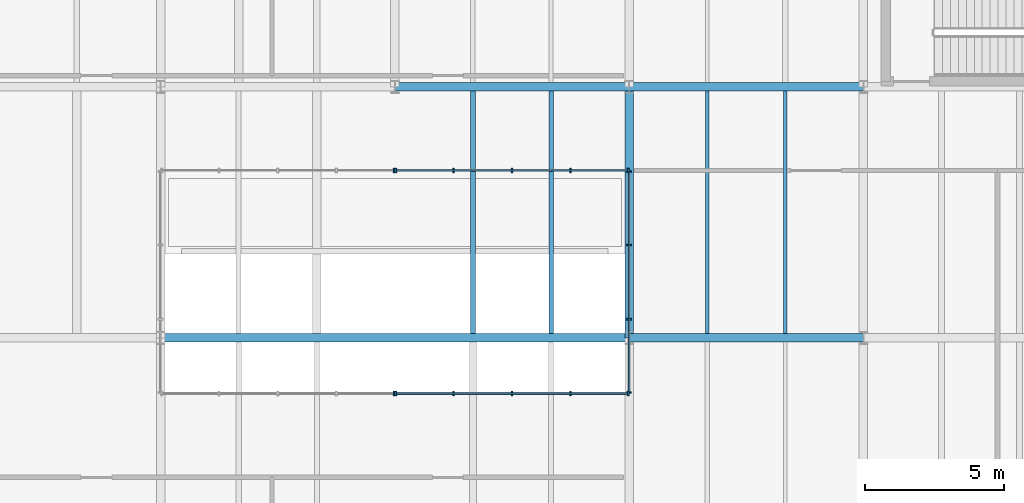
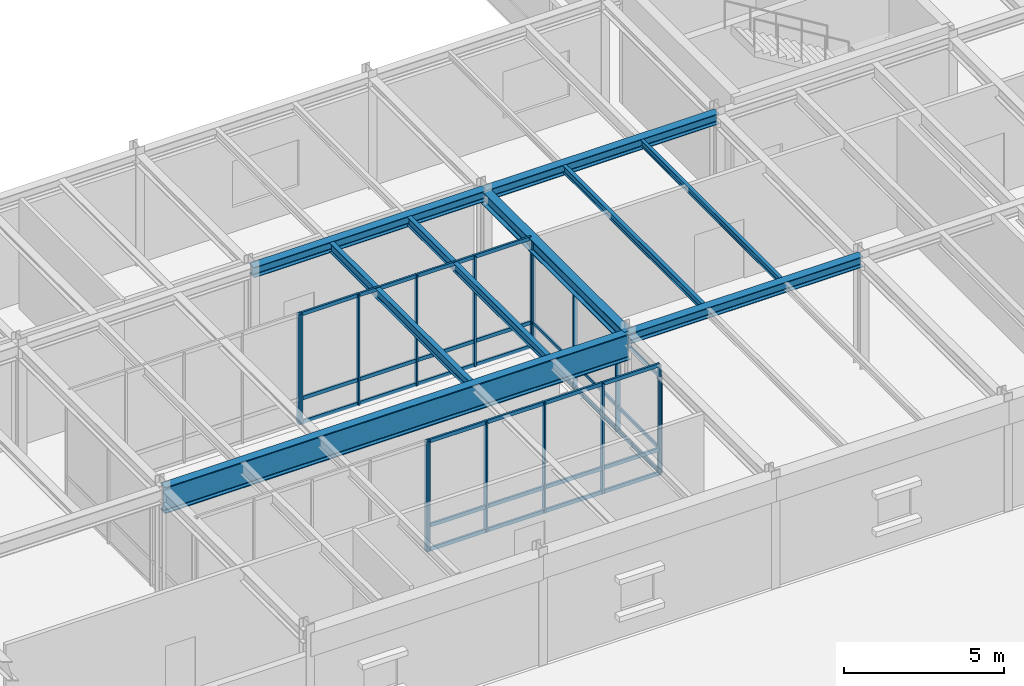
# One storey, part 32 of 64: 25 members, 9 beams, 5 elements without a shape of their own.
"""IFC4 building model written with IfcOpenShell, lengths in metres."""

from ifc_helpers import new_model, si_unit, direction, frame, origin, origin_2d, place, context, subcontext, project, spatial, rectangle, i_section, extrude, material, layer, layer_set, material_profile, profile_set, type_object, element, aggregate, save


model = new_model("IFC4")

# Units and contexts
model_context = context("Model", 3, precision=1e-05, world=origin(), true_north=direction((0.0, 1.0)))
body_context = subcontext(model_context, "Body", "Model", "MODEL_VIEW")
ifc_project = project(units=[si_unit("LENGTHUNIT", "METRE"), si_unit("AREAUNIT", "SQUARE_METRE"), si_unit("VOLUMEUNIT", "CUBIC_METRE"), si_unit("PLANEANGLEUNIT", "RADIAN"), si_unit("MASSUNIT", "GRAM", prefix="KILO")], contexts=[model_context])

# Site, building, storey
site_placement = place(None, origin())
site = spatial("IfcSite", under=ifc_project, at=site_placement, CompositionType="ELEMENT")
building_placement = place(site_placement, origin())
building = spatial("IfcBuilding", under=site, at=building_placement, Name="Montealbar Specialist Clinic", CompositionType="ELEMENT")
storey_placement = place(building_placement, frame((0.0, 0.0, 5.10009765625)))
storey = spatial("IfcBuildingStorey", under=building, at=storey_placement, Name="L01", CompositionType="ELEMENT", Elevation=5.10009765625)

# Beams
ifc_material_1 = material(Name="Steel S355", Category="steel")
ifc_material_profile_1 = material_profile(ifc_material_1, i_section(OverallWidth=0.300048828125, OverallDepth=0.39990234375, WebThickness=0.013427734375, FlangeThickness=0.02392578125, FilletRadius=0.027099609375, at=origin_2d()), Name="HEB 400", Category="steel")
ifc_profile_set_1 = profile_set([ifc_material_profile_1], Name="Steel S355")
beam_type_1 = type_object("IfcBeamType", Name="BM-GIRD-HEB400", PredefinedType="BEAM", material=ifc_profile_set_1)
beam_1_placement = place(storey_placement, frame((136.800048828125, 36.0, 4.02001953125), z_axis=(1.0, 0.0, 0.0), x_axis=(0.0, 1.0, 0.0)))
element("IfcBeam", 1, at=beam_1_placement, inside=storey, type_object=beam_type_1, Name="Beam GX-L01-1368-1452-360", PredefinedType="BEAM", context=body_context, shape_type="SweptSolid", body=[
    extrude(i_section(OverallWidth=0.300048828125, OverallDepth=0.39990234375, WebThickness=0.013427734375, FlangeThickness=0.02392578125, FilletRadius=0.027099609375, at=origin_2d()), origin(), (0.0, 0.0, 1.0), 8.39990234375),
])
beam_2_placement = place(storey_placement, frame((128.39990234375, 45.0, 4.02001953125), z_axis=(1.0, 0.0, 0.0), x_axis=(0.0, 1.0, 0.0)))
element("IfcBeam", 2, at=beam_2_placement, inside=storey, type_object=beam_type_1, Name="Beam GX-L01-1284-1368-450", PredefinedType="BEAM", context=body_context, shape_type="SweptSolid", body=[
    extrude(i_section(OverallWidth=0.300048828125, OverallDepth=0.39990234375, WebThickness=0.013427734375, FlangeThickness=0.02392578125, FilletRadius=0.027099609375, at=origin_2d()), origin(), (0.0, 0.0, 1.0), 8.400146484375),
])
beam_3_placement = place(storey_placement, frame((136.800048828125, 45.0, 4.02001953125), z_axis=(1.0, 0.0, 0.0), x_axis=(0.0, 1.0, 0.0)))
element("IfcBeam", 3, at=beam_3_placement, inside=storey, type_object=beam_type_1, Name="Beam GX-L01-1368-1452-450", PredefinedType="BEAM", context=body_context, shape_type="SweptSolid", body=[
    extrude(i_section(OverallWidth=0.300048828125, OverallDepth=0.39990234375, WebThickness=0.013427734375, FlangeThickness=0.02392578125, FilletRadius=0.027099609375, at=origin_2d()), origin(), (0.0, 0.0, 1.0), 8.39990234375),
])
ifc_material_profile_2 = material_profile(ifc_material_1, i_section(OverallWidth=0.300048828125, OverallDepth=0.5, WebThickness=0.014404296875, FlangeThickness=0.028076171875, FilletRadius=0.027099609375, at=origin_2d()), Name="HEB 500", Category="steel")
ifc_profile_set_2 = profile_set([ifc_material_profile_2], Name="Steel S355")
beam_type_2 = type_object("IfcBeamType", Name="BM-GIRD-HEB500", PredefinedType="BEAM", material=ifc_profile_set_2)
beam_4_placement = place(storey_placement, frame((136.800048828125, 36.0, 3.969970703125), z_axis=(0.0, 1.0, 0.0), x_axis=(-1.0, 0.0, 0.0)))
element("IfcBeam", 4, at=beam_4_placement, inside=storey, type_object=beam_type_2, Name="Beam GY-L01-1368-360-450", PredefinedType="BEAM", context=body_context, shape_type="SweptSolid", body=[
    extrude(i_section(OverallWidth=0.300048828125, OverallDepth=0.5, WebThickness=0.014404296875, FlangeThickness=0.028076171875, FilletRadius=0.027099609375, at=origin_2d()), origin(), (0.0, 0.0, 1.0), 9.0),
])
ifc_material_profile_3 = material_profile(ifc_material_1, i_section(OverallWidth=0.1201171875, OverallDepth=0.239990234375, WebThickness=0.006103515625, FlangeThickness=0.009765625, FilletRadius=0.014892578125, at=origin_2d()), Name="IPE 240", Category="steel")
ifc_profile_set_3 = profile_set([ifc_material_profile_3], Name="Steel S355")
beam_type_3 = type_object("IfcBeamType", Name="BM-JST-IPE240", PredefinedType="JOIST", material=ifc_profile_set_3)
beam_5_placement = place(storey_placement, frame((142.39990234375, 36.14990234375, 4.099853515625), z_axis=(0.0, 1.0, 0.0), x_axis=(-1.0, 0.0, 0.0)))
element("IfcBeam", 5, at=beam_5_placement, inside=storey, type_object=beam_type_3, Name="Beam JST-L01-1424-362-448", PredefinedType="JOIST", context=body_context, shape_type="SweptSolid", body=[
    extrude(i_section(OverallWidth=0.1201171875, OverallDepth=0.239990234375, WebThickness=0.006103515625, FlangeThickness=0.009765625, FilletRadius=0.014892578125, at=origin_2d()), origin(), (0.0, 0.0, 1.0), 8.7001953125),
])
ifc_material_profile_4 = material_profile(ifc_material_1, i_section(OverallWidth=0.135009765625, OverallDepth=0.27001953125, WebThickness=0.006591796875, FlangeThickness=0.01025390625, FilletRadius=0.014892578125, at=origin_2d()), Name="IPE 270", Category="steel")
ifc_profile_set_4 = profile_set([ifc_material_profile_4], Name="Steel S355")
beam_type_4 = type_object("IfcBeamType", Name="BM-JST-IPE270", PredefinedType="JOIST", material=ifc_profile_set_4)
beam_6_placement = place(storey_placement, frame((139.60009765625, 36.14990234375, 4.0849609375), z_axis=(0.0, 1.0, 0.0), x_axis=(-1.0, 0.0, 0.0)))
element("IfcBeam", 6, at=beam_6_placement, inside=storey, type_object=beam_type_4, Name="Beam JST-L01-1396-362-448", PredefinedType="JOIST", context=body_context, shape_type="SweptSolid", body=[
    extrude(i_section(OverallWidth=0.135009765625, OverallDepth=0.27001953125, WebThickness=0.006591796875, FlangeThickness=0.01025390625, FilletRadius=0.014892578125, at=origin_2d()), origin(), (0.0, 0.0, 1.0), 8.7001953125),
])
ifc_material_profile_5 = material_profile(ifc_material_1, i_section(OverallWidth=0.159912109375, OverallDepth=0.330078125, WebThickness=0.007568359375, FlangeThickness=0.011474609375, FilletRadius=0.01806640625, at=origin_2d()), Name="IPE 330", Category="steel")
ifc_profile_set_5 = profile_set([ifc_material_profile_5], Name="Steel S355")
beam_type_5 = type_object("IfcBeamType", Name="BM-JST-IPE330", PredefinedType="JOIST", material=ifc_profile_set_5)
beam_7_placement = place(storey_placement, frame((134.0, 36.14990234375, 4.054931640625), z_axis=(0.0, 1.0, 0.0), x_axis=(-1.0, 0.0, 0.0)))
element("IfcBeam", 7, at=beam_7_placement, inside=storey, type_object=beam_type_5, Name="Beam JST-L01-1340-362-448", PredefinedType="JOIST", context=body_context, shape_type="SweptSolid", body=[
    extrude(i_section(OverallWidth=0.159912109375, OverallDepth=0.330078125, WebThickness=0.007568359375, FlangeThickness=0.011474609375, FilletRadius=0.01806640625, at=origin_2d()), origin(), (0.0, 0.0, 1.0), 8.7001953125),
])
ifc_material_profile_6 = material_profile(ifc_material_1, i_section(OverallWidth=0.169921875, OverallDepth=0.360107421875, WebThickness=0.008056640625, FlangeThickness=0.0126953125, FilletRadius=0.01806640625, at=origin_2d()), Name="IPE 360", Category="steel")
ifc_profile_set_6 = profile_set([ifc_material_profile_6], Name="Steel S355")
beam_type_6 = type_object("IfcBeamType", Name="BM-JST-IPE360", PredefinedType="JOIST", material=ifc_profile_set_6)
beam_8_placement = place(storey_placement, frame((131.199951171875, 36.14990234375, 4.039794921875), z_axis=(0.0, 1.0, 0.0), x_axis=(-1.0, 0.0, 0.0)))
element("IfcBeam", 8, at=beam_8_placement, inside=storey, type_object=beam_type_6, Name="Beam JST-L01-1312-362-448", PredefinedType="JOIST", context=body_context, shape_type="SweptSolid", body=[
    extrude(i_section(OverallWidth=0.169921875, OverallDepth=0.360107421875, WebThickness=0.008056640625, FlangeThickness=0.0126953125, FilletRadius=0.01806640625, at=origin_2d()), origin(), (0.0, 0.0, 1.0), 8.7001953125),
])
ifc_material_profile_7 = material_profile(ifc_material_1, i_section(OverallWidth=0.300048828125, OverallDepth=1.0, WebThickness=0.01904296875, FlangeThickness=0.035888671875, FilletRadius=0.030029296875, at=origin_2d()), Name="HEB 1000", Category="steel")
ifc_profile_set_7 = profile_set([ifc_material_profile_7], Name="Steel S355")
beam_type_7 = type_object("IfcBeamType", Name="BM-XFER-HEB1000-EXT", PredefinedType="BEAM", material=ifc_profile_set_7)
beam_9_placement = place(storey_placement, frame((120.0, 36.0, 3.719970703125), z_axis=(1.0, 0.0, 0.0), x_axis=(0.0, 1.0, 0.0)))
element("IfcBeam", 9, at=beam_9_placement, inside=storey, type_object=beam_type_7, Name="Transfer Girder L01 Y=36.0", PredefinedType="BEAM", context=body_context, shape_type="SweptSolid", body=[
    extrude(i_section(OverallWidth=0.300048828125, OverallDepth=1.0, WebThickness=0.01904296875, FlangeThickness=0.035888671875, FilletRadius=0.030029296875, at=origin_2d()), origin(), (0.0, 0.0, 1.0), 16.800048828125),
])

# Curtain wall, member
ifc_material_2 = material(Name="Low-E double glazing", Category="glass")
ifc_layer_1 = layer(ifc_material_2, 0.199951171875, Name="Low-E double glazing", Category="glass")
ifc_layer_set_1 = layer_set([ifc_layer_1], Name="Low-E double glazing")
curtain_wall_type_1 = type_object("IfcCurtainWallType", Name="CW-TYPE-10", PredefinedType="NOTDEFINED", material=ifc_layer_set_1)
curtain_wall_1_placement = place(storey_placement, origin())
curtain_wall_1 = element("IfcCurtainWall", 10, at=curtain_wall_1_placement, inside=storey, type_object=curtain_wall_type_1, Name="Unitised Curtain Wall CW-L01-1200-340-1284-340-51", PredefinedType="NOTDEFINED")
ifc_material_3 = material(Name="Anodised aluminium EN AW-6063", Category="aluminium")
ifc_material_profile_8 = material_profile(ifc_material_3, rectangle(XDim=0.06005859375, YDim=0.159912109375, at=origin_2d()), Name="ALU 60x160", Category="aluminium")
ifc_profile_set_8 = profile_set([ifc_material_profile_8], Name="Anodised aluminium EN AW-6063")
member_type_1 = type_object("IfcMemberType", Name="CW-MUL-160", PredefinedType="MULLION", material=ifc_profile_set_8)
member_1_placement = place(storey_placement, frame((128.364990234375, 34.0, 0.0), z_axis=(0.0, 0.0, 1.0), x_axis=(1.0, 0.0, 0.0)))
member_1 = element("IfcMember", 11, at=member_1_placement, type_object=member_type_1, Name="Curtain Wall Mullion CW-L01-1200-340-1284-340-51-04", PredefinedType="MULLION", context=body_context, shape_type="SweptSolid", body=[
    extrude(rectangle(XDim=0.06005859375, YDim=0.159912109375, at=origin_2d()), origin(), (0.0, 0.0, 1.0), 4.2099609375),
])
aggregate(curtain_wall_1, [member_1])

# Curtain wall, members
curtain_wall_2_placement = place(storey_placement, origin())
curtain_wall_2 = element("IfcCurtainWall", 12, at=curtain_wall_2_placement, inside=storey, type_object=curtain_wall_type_1, Name="Unitised Curtain Wall CW-L01-1284-340-1368-340-51", PredefinedType="NOTDEFINED")
member_2_placement = place(storey_placement, frame((128.43505859375, 34.0, 0.0), z_axis=(0.0, 0.0, 1.0), x_axis=(1.0, 0.0, 0.0)))
member_2 = element("IfcMember", 13, at=member_2_placement, type_object=member_type_1, Name="Curtain Wall Mullion CW-L01-1284-340-1368-340-51-00", PredefinedType="MULLION", context=body_context, shape_type="SweptSolid", body=[
    extrude(rectangle(XDim=0.06005859375, YDim=0.159912109375, at=origin_2d()), origin(), (0.0, 0.0, 1.0), 4.2099609375),
])
member_3_placement = place(storey_placement, frame((130.5, 34.0, 0.0), z_axis=(0.0, 0.0, 1.0), x_axis=(1.0, 0.0, 0.0)))
member_3 = element("IfcMember", 14, at=member_3_placement, type_object=member_type_1, Name="Curtain Wall Mullion CW-L01-1284-340-1368-340-51-01", PredefinedType="MULLION", context=body_context, shape_type="SweptSolid", body=[
    extrude(rectangle(XDim=0.06005859375, YDim=0.159912109375, at=origin_2d()), origin(), (0.0, 0.0, 1.0), 4.2099609375),
])
member_4_placement = place(storey_placement, frame((132.60009765625, 34.0, 0.0), z_axis=(0.0, 0.0, 1.0), x_axis=(1.0, 0.0, 0.0)))
member_4 = element("IfcMember", 15, at=member_4_placement, type_object=member_type_1, Name="Curtain Wall Mullion CW-L01-1284-340-1368-340-51-02", PredefinedType="MULLION", context=body_context, shape_type="SweptSolid", body=[
    extrude(rectangle(XDim=0.06005859375, YDim=0.159912109375, at=origin_2d()), origin(), (0.0, 0.0, 1.0), 4.2099609375),
])
member_5_placement = place(storey_placement, frame((134.699951171875, 34.0, 0.0), z_axis=(0.0, 0.0, 1.0), x_axis=(1.0, 0.0, 0.0)))
member_5 = element("IfcMember", 16, at=member_5_placement, type_object=member_type_1, Name="Curtain Wall Mullion CW-L01-1284-340-1368-340-51-03", PredefinedType="MULLION", context=body_context, shape_type="SweptSolid", body=[
    extrude(rectangle(XDim=0.06005859375, YDim=0.159912109375, at=origin_2d()), origin(), (0.0, 0.0, 1.0), 4.2099609375),
])
member_6_placement = place(storey_placement, frame((136.764892578125, 34.0, 0.0), z_axis=(0.0, 0.0, 1.0), x_axis=(1.0, 0.0, 0.0)))
member_6 = element("IfcMember", 17, at=member_6_placement, type_object=member_type_1, Name="Curtain Wall Mullion CW-L01-1284-340-1368-340-51-04", PredefinedType="MULLION", context=body_context, shape_type="SweptSolid", body=[
    extrude(rectangle(XDim=0.06005859375, YDim=0.159912109375, at=origin_2d()), origin(), (0.0, 0.0, 1.0), 4.2099609375),
])

ifc_layer_2 = layer(ifc_material_2, 0.199951171875, Name="Low-E double glazing", Category="glass")
ifc_layer_set_2 = layer_set([ifc_layer_2], Name="Low-E double glazing")
curtain_wall_type_2 = type_object("IfcCurtainWallType", Name="CW-TYPE-11", PredefinedType="NOTDEFINED", material=ifc_layer_set_2)
curtain_wall_3_placement = place(storey_placement, origin())
curtain_wall_3 = element("IfcCurtainWall", 18, at=curtain_wall_3_placement, inside=storey, type_object=curtain_wall_type_2, Name="Unitised Curtain Wall CW-L01-1368-340-1368-420-51", PredefinedType="NOTDEFINED")
member_7_placement = place(storey_placement, frame((136.800048828125, 34.034912109375, 0.0), z_axis=(0.0, 0.0, 1.0), x_axis=(0.0, 1.0, 0.0)))
member_7 = element("IfcMember", 19, at=member_7_placement, type_object=member_type_1, Name="Curtain Wall Mullion CW-L01-1368-340-1368-420-51-00", PredefinedType="MULLION", context=body_context, shape_type="SweptSolid", body=[
    extrude(rectangle(XDim=0.06005859375, YDim=0.159912109375, at=origin_2d()), origin(), (0.0, 0.0, 1.0), 3.719970703125),
])
member_8_placement = place(storey_placement, frame((136.800048828125, 36.6669921875, 0.0), z_axis=(0.0, 0.0, 1.0), x_axis=(0.0, 1.0, 0.0)))
member_8 = element("IfcMember", 20, at=member_8_placement, type_object=member_type_1, Name="Curtain Wall Mullion CW-L01-1368-340-1368-420-51-01", PredefinedType="MULLION", context=body_context, shape_type="SweptSolid", body=[
    extrude(rectangle(XDim=0.06005859375, YDim=0.159912109375, at=origin_2d()), origin(), (0.0, 0.0, 1.0), 3.719970703125),
])
member_9_placement = place(storey_placement, frame((136.800048828125, 39.3330078125, 0.0), z_axis=(0.0, 0.0, 1.0), x_axis=(0.0, 1.0, 0.0)))
member_9 = element("IfcMember", 21, at=member_9_placement, type_object=member_type_1, Name="Curtain Wall Mullion CW-L01-1368-340-1368-420-51-02", PredefinedType="MULLION", context=body_context, shape_type="SweptSolid", body=[
    extrude(rectangle(XDim=0.06005859375, YDim=0.159912109375, at=origin_2d()), origin(), (0.0, 0.0, 1.0), 3.719970703125),
])
member_10_placement = place(storey_placement, frame((136.800048828125, 41.965087890625, 0.0), z_axis=(0.0, 0.0, 1.0), x_axis=(0.0, 1.0, 0.0)))
member_10 = element("IfcMember", 22, at=member_10_placement, type_object=member_type_1, Name="Curtain Wall Mullion CW-L01-1368-340-1368-420-51-03", PredefinedType="MULLION", context=body_context, shape_type="SweptSolid", body=[
    extrude(rectangle(XDim=0.06005859375, YDim=0.159912109375, at=origin_2d()), origin(), (0.0, 0.0, 1.0), 3.719970703125),
])

curtain_wall_4_placement = place(storey_placement, origin())
curtain_wall_4 = element("IfcCurtainWall", 23, at=curtain_wall_4_placement, inside=storey, type_object=curtain_wall_type_1, Name="Unitised Curtain Wall CW-L01-1368-420-1284-420-51", PredefinedType="NOTDEFINED")
member_11_placement = place(storey_placement, frame((136.764892578125, 42.0, 0.0), z_axis=(0.0, 0.0, 1.0), x_axis=(-1.0, 0.0, 0.0)))
member_11 = element("IfcMember", 24, at=member_11_placement, type_object=member_type_1, Name="Curtain Wall Mullion CW-L01-1368-420-1284-420-51-00", PredefinedType="MULLION", context=body_context, shape_type="SweptSolid", body=[
    extrude(rectangle(XDim=0.06005859375, YDim=0.159912109375, at=origin_2d()), origin(), (0.0, 0.0, 1.0), 4.2099609375),
])
member_12_placement = place(storey_placement, frame((134.699951171875, 42.0, 0.0), z_axis=(0.0, 0.0, 1.0), x_axis=(-1.0, 0.0, 0.0)))
member_12 = element("IfcMember", 25, at=member_12_placement, type_object=member_type_1, Name="Curtain Wall Mullion CW-L01-1368-420-1284-420-51-01", PredefinedType="MULLION", context=body_context, shape_type="SweptSolid", body=[
    extrude(rectangle(XDim=0.06005859375, YDim=0.159912109375, at=origin_2d()), origin(), (0.0, 0.0, 1.0), 4.2099609375),
])
member_13_placement = place(storey_placement, frame((132.60009765625, 42.0, 0.0), z_axis=(0.0, 0.0, 1.0), x_axis=(-1.0, 0.0, 0.0)))
member_13 = element("IfcMember", 26, at=member_13_placement, type_object=member_type_1, Name="Curtain Wall Mullion CW-L01-1368-420-1284-420-51-02", PredefinedType="MULLION", context=body_context, shape_type="SweptSolid", body=[
    extrude(rectangle(XDim=0.06005859375, YDim=0.159912109375, at=origin_2d()), origin(), (0.0, 0.0, 1.0), 4.2099609375),
])
member_14_placement = place(storey_placement, frame((130.5, 42.0, 0.0), z_axis=(0.0, 0.0, 1.0), x_axis=(-1.0, 0.0, 0.0)))
member_14 = element("IfcMember", 27, at=member_14_placement, type_object=member_type_1, Name="Curtain Wall Mullion CW-L01-1368-420-1284-420-51-03", PredefinedType="MULLION", context=body_context, shape_type="SweptSolid", body=[
    extrude(rectangle(XDim=0.06005859375, YDim=0.159912109375, at=origin_2d()), origin(), (0.0, 0.0, 1.0), 4.2099609375),
])
member_15_placement = place(storey_placement, frame((128.43505859375, 42.0, 0.0), z_axis=(0.0, 0.0, 1.0), x_axis=(-1.0, 0.0, 0.0)))
member_15 = element("IfcMember", 28, at=member_15_placement, type_object=member_type_1, Name="Curtain Wall Mullion CW-L01-1368-420-1284-420-51-04", PredefinedType="MULLION", context=body_context, shape_type="SweptSolid", body=[
    extrude(rectangle(XDim=0.06005859375, YDim=0.159912109375, at=origin_2d()), origin(), (0.0, 0.0, 1.0), 4.2099609375),
])

# Curtain wall, member
curtain_wall_5_placement = place(storey_placement, origin())
curtain_wall_5 = element("IfcCurtainWall", 29, at=curtain_wall_5_placement, inside=storey, type_object=curtain_wall_type_1, Name="Unitised Curtain Wall CW-L01-1284-420-1200-420-51", PredefinedType="NOTDEFINED")
member_16_placement = place(storey_placement, frame((128.364990234375, 42.0, 0.0), z_axis=(0.0, 0.0, 1.0), x_axis=(-1.0, 0.0, 0.0)))
member_16 = element("IfcMember", 30, at=member_16_placement, type_object=member_type_1, Name="Curtain Wall Mullion CW-L01-1284-420-1200-420-51-00", PredefinedType="MULLION", context=body_context, shape_type="SweptSolid", body=[
    extrude(rectangle(XDim=0.06005859375, YDim=0.159912109375, at=origin_2d()), origin(), (0.0, 0.0, 1.0), 4.2099609375),
])
aggregate(curtain_wall_5, [member_16])

# Member
ifc_material_4 = material(Name="Powder-coated aluminium", Category="aluminium")
ifc_material_profile_9 = material_profile(ifc_material_4, rectangle(XDim=0.06005859375, YDim=0.1201171875, at=origin_2d()), Name="ALU 60x120", Category="aluminium")
ifc_profile_set_9 = profile_set([ifc_material_profile_9], Name="Powder-coated aluminium")
member_type_2 = type_object("IfcMemberType", Name="CW-TRN-120", PredefinedType="USERDEFINED", material=ifc_profile_set_9)
member_17_placement = place(storey_placement, frame((136.800048828125, 34.050048828125, 0.039794921875), z_axis=(0.0, 1.0, 0.0), x_axis=(-1.0, 0.0, 0.0)))
member_17 = element("IfcMember", 31, at=member_17_placement, type_object=member_type_2, Name="Curtain Wall Transom CW-L01-1368-340-1368-420-51-00", ObjectType="TRANSOM", PredefinedType="USERDEFINED", context=body_context, shape_type="SweptSolid", body=[
    extrude(rectangle(XDim=0.06005859375, YDim=0.1201171875, at=origin_2d()), origin(), (0.0, 0.0, 1.0), 7.89990234375),
])

member_18_placement = place(storey_placement, frame((136.800048828125, 34.050048828125, 0.949951171875), z_axis=(0.0, 1.0, 0.0), x_axis=(-1.0, 0.0, 0.0)))
member_18 = element("IfcMember", 32, at=member_18_placement, type_object=member_type_2, Name="Curtain Wall Transom CW-L01-1368-340-1368-420-51-01", ObjectType="TRANSOM", PredefinedType="USERDEFINED", context=body_context, shape_type="SweptSolid", body=[
    extrude(rectangle(XDim=0.06005859375, YDim=0.1201171875, at=origin_2d()), origin(), (0.0, 0.0, 1.0), 7.89990234375),
])

member_19_placement = place(storey_placement, frame((136.800048828125, 34.050048828125, 3.679931640625), z_axis=(0.0, 1.0, 0.0), x_axis=(-1.0, 0.0, 0.0)))
member_19 = element("IfcMember", 33, at=member_19_placement, type_object=member_type_2, Name="Curtain Wall Transom CW-L01-1368-340-1368-420-51-02", ObjectType="TRANSOM", PredefinedType="USERDEFINED", context=body_context, shape_type="SweptSolid", body=[
    extrude(rectangle(XDim=0.06005859375, YDim=0.1201171875, at=origin_2d()), origin(), (0.0, 0.0, 1.0), 7.89990234375),
])

aggregate(curtain_wall_3, [member_7, member_8, member_9, member_10, member_17, member_18, member_19])

ifc_material_profile_10 = material_profile(ifc_material_4, rectangle(XDim=0.070068359375, YDim=0.139892578125, at=origin_2d()), Name="ALU 70x140", Category="aluminium")
ifc_profile_set_10 = profile_set([ifc_material_profile_10], Name="Powder-coated aluminium")
member_type_3 = type_object("IfcMemberType", Name="CW-TRN-140", PredefinedType="USERDEFINED", material=ifc_profile_set_10)
member_20_placement = place(storey_placement, frame((128.449951171875, 34.0, 0.039794921875), z_axis=(1.0, 0.0, 0.0), x_axis=(0.0, 1.0, 0.0)))
member_20 = element("IfcMember", 34, at=member_20_placement, type_object=member_type_3, Name="Curtain Wall Transom CW-L01-1284-340-1368-340-51-00", ObjectType="TRANSOM", PredefinedType="USERDEFINED", context=body_context, shape_type="SweptSolid", body=[
    extrude(rectangle(XDim=0.070068359375, YDim=0.139892578125, at=origin_2d()), origin(), (0.0, 0.0, 1.0), 8.300048828125),
])

member_21_placement = place(storey_placement, frame((128.449951171875, 34.0, 0.949951171875), z_axis=(1.0, 0.0, 0.0), x_axis=(0.0, 1.0, 0.0)))
member_21 = element("IfcMember", 35, at=member_21_placement, type_object=member_type_3, Name="Curtain Wall Transom CW-L01-1284-340-1368-340-51-01", ObjectType="TRANSOM", PredefinedType="USERDEFINED", context=body_context, shape_type="SweptSolid", body=[
    extrude(rectangle(XDim=0.070068359375, YDim=0.139892578125, at=origin_2d()), origin(), (0.0, 0.0, 1.0), 8.300048828125),
])

member_22_placement = place(storey_placement, frame((128.449951171875, 34.0, 4.169921875), z_axis=(1.0, 0.0, 0.0), x_axis=(0.0, 1.0, 0.0)))
member_22 = element("IfcMember", 36, at=member_22_placement, type_object=member_type_3, Name="Curtain Wall Transom CW-L01-1284-340-1368-340-51-02", ObjectType="TRANSOM", PredefinedType="USERDEFINED", context=body_context, shape_type="SweptSolid", body=[
    extrude(rectangle(XDim=0.070068359375, YDim=0.139892578125, at=origin_2d()), origin(), (0.0, 0.0, 1.0), 8.300048828125),
])

aggregate(curtain_wall_2, [member_2, member_3, member_4, member_5, member_6, member_20, member_21, member_22])

member_23_placement = place(storey_placement, frame((136.75, 42.0, 0.039794921875), z_axis=(-1.0, 0.0, 0.0), x_axis=(0.0, -1.0, 0.0)))
member_23 = element("IfcMember", 37, at=member_23_placement, type_object=member_type_3, Name="Curtain Wall Transom CW-L01-1368-420-1284-420-51-00", ObjectType="TRANSOM", PredefinedType="USERDEFINED", context=body_context, shape_type="SweptSolid", body=[
    extrude(rectangle(XDim=0.070068359375, YDim=0.139892578125, at=origin_2d()), origin(), (0.0, 0.0, 1.0), 8.300048828125),
])

member_24_placement = place(storey_placement, frame((136.75, 42.0, 0.949951171875), z_axis=(-1.0, 0.0, 0.0), x_axis=(0.0, -1.0, 0.0)))
member_24 = element("IfcMember", 38, at=member_24_placement, type_object=member_type_3, Name="Curtain Wall Transom CW-L01-1368-420-1284-420-51-01", ObjectType="TRANSOM", PredefinedType="USERDEFINED", context=body_context, shape_type="SweptSolid", body=[
    extrude(rectangle(XDim=0.070068359375, YDim=0.139892578125, at=origin_2d()), origin(), (0.0, 0.0, 1.0), 8.300048828125),
])

member_25_placement = place(storey_placement, frame((136.75, 42.0, 4.169921875), z_axis=(-1.0, 0.0, 0.0), x_axis=(0.0, -1.0, 0.0)))
member_25 = element("IfcMember", 39, at=member_25_placement, type_object=member_type_3, Name="Curtain Wall Transom CW-L01-1368-420-1284-420-51-02", ObjectType="TRANSOM", PredefinedType="USERDEFINED", context=body_context, shape_type="SweptSolid", body=[
    extrude(rectangle(XDim=0.070068359375, YDim=0.139892578125, at=origin_2d()), origin(), (0.0, 0.0, 1.0), 8.300048828125),
])

aggregate(curtain_wall_4, [member_11, member_12, member_13, member_14, member_15, member_23, member_24, member_25])

save(model, "model.ifc")
